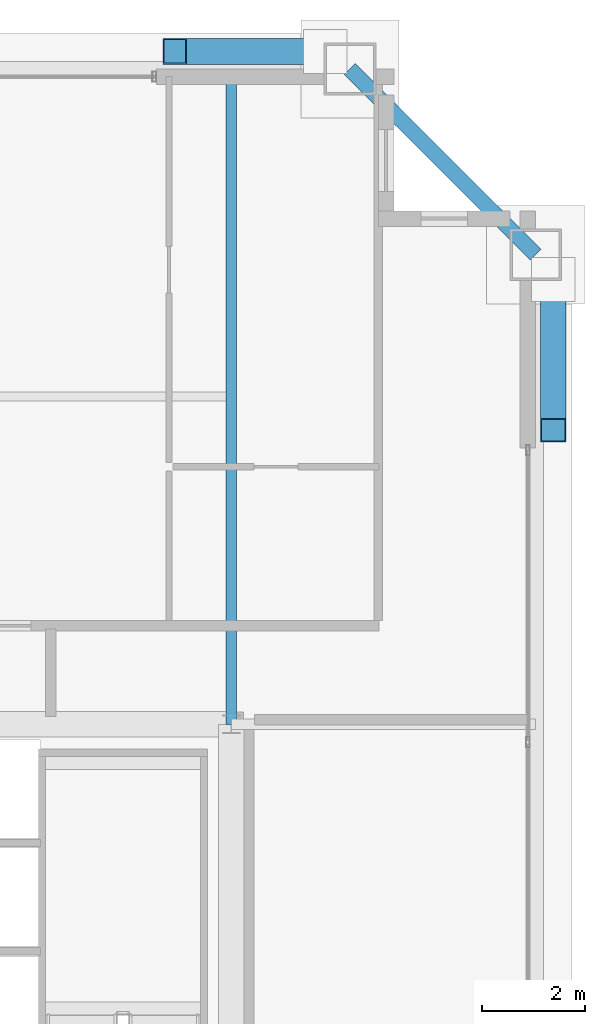
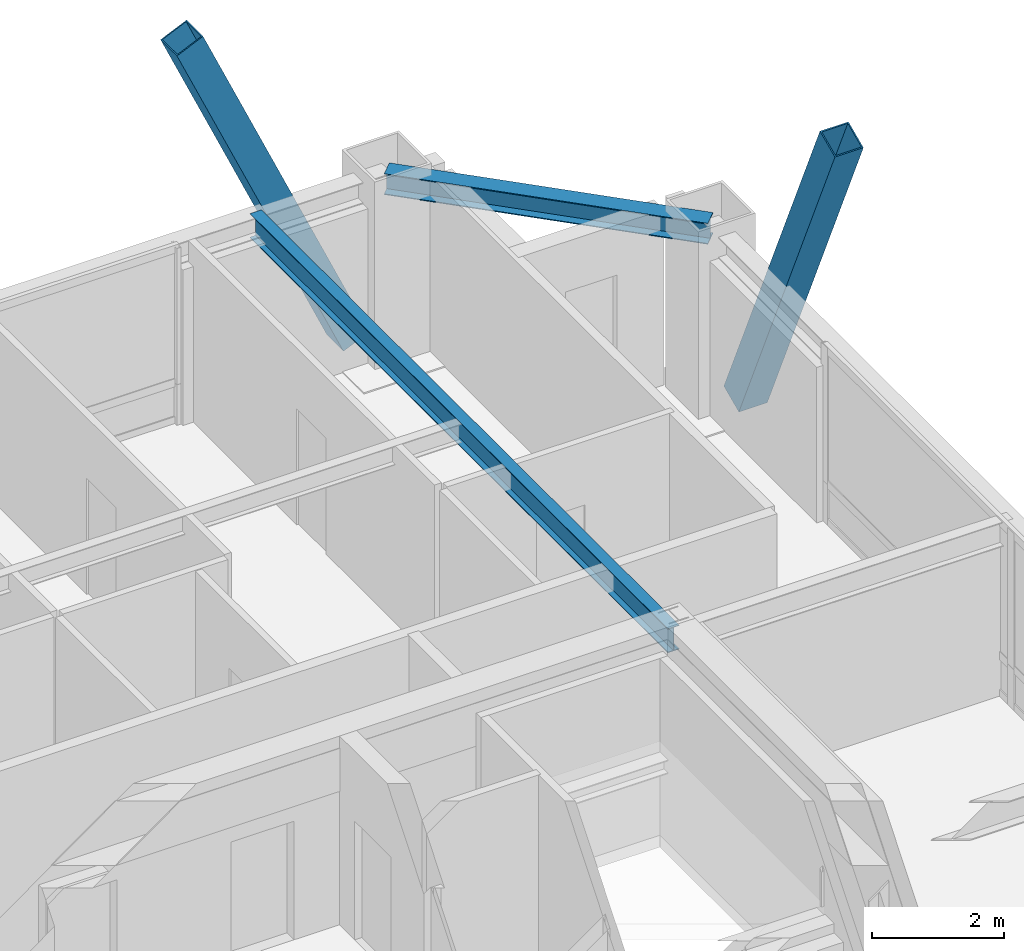
# One storey, part 20 of 35: 2 beams, 2 members.
"""IFC4 building model written with IfcOpenShell, lengths in metres."""

from ifc_helpers import new_model, si_unit, direction, frame, origin, origin_2d, place, context, subcontext, project, spatial, hollow_rectangle, i_section, extrude, source, transform, mapped, material, material_profile, profile_set, type_object, element, save


model = new_model("IFC4")

# Units and contexts
model_context = context("Model", 3, precision=1e-05, world=origin(), true_north=direction((0.0, 1.0)))
body_context = subcontext(model_context, "Body", "Model", "MODEL_VIEW")
ifc_project = project(units=[si_unit("LENGTHUNIT", "METRE"), si_unit("AREAUNIT", "SQUARE_METRE"), si_unit("VOLUMEUNIT", "CUBIC_METRE"), si_unit("PLANEANGLEUNIT", "RADIAN"), si_unit("MASSUNIT", "GRAM", prefix="KILO"), si_unit("THERMODYNAMICTEMPERATUREUNIT", "KELVIN"), si_unit("POWERUNIT", "WATT")], contexts=[model_context])

# Site, building, storey
site_placement = place(None, origin())
site = spatial("IfcSite", under=ifc_project, at=site_placement, CompositionType="ELEMENT")
building_placement = place(site_placement, origin())
building = spatial("IfcBuilding", under=site, at=building_placement, Name="Yuzanri Waterfront Tower", CompositionType="ELEMENT")
storey_placement = place(building_placement, frame((0.0, 0.0, 285.60009765625)))
storey = spatial("IfcBuildingStorey", under=building, at=storey_placement, Name="L76", CompositionType="ELEMENT", Elevation=285.60009765625)

# Beams
ifc_material_1 = material(Name="Steel Q355B", Category="steel")
ifc_material_profile_1 = material_profile(ifc_material_1, i_section(OverallWidth=0.300048828125, OverallDepth=0.389892578125, WebThickness=0.010009765625, FlangeThickness=0.01611328125, at=origin_2d()), Name="HM 390x300x10x16")
ifc_profile_set_1 = profile_set([ifc_material_profile_1], Name="Steel Q355B")
beam_type_1 = type_object("IfcBeamType", Name="Perimeter Spandrel Q355B HM 390x300", PredefinedType="SPANDREL", material=ifc_profile_set_1)
shared_shape_1 = source(origin(), body_context, "Body", "SweptSolid", [
    extrude(i_section(OverallWidth=0.300048828125, OverallDepth=0.389892578125, WebThickness=0.010009765625, FlangeThickness=0.01611328125, at=origin_2d()), origin(), (0.0, 0.0, 1.0), 5.091064453125),
])
beam_1_placement = place(storey_placement, frame((56.10009765625, 41.300048828125, 3.0849609375), z_axis=(-0.707130757816, 0.707082803744, 0.0), x_axis=(-0.707082803744, -0.707130757816, 0.0)))
element("IfcBeam", 1, at=beam_1_placement, inside=storey, type_object=beam_type_1, Name="L76 Perimeter Spandrel E3-N3", PredefinedType="SPANDREL", context=body_context, shape_type="MappedRepresentation", body=[
    mapped(shared_shape_1, transform((0.0, 0.0, 0.0), scale=1.0)),
])
ifc_material_2 = material(Name="Steel Q355B", Category="steel")
ifc_material_profile_2 = material_profile(ifc_material_2, i_section(OverallWidth=0.199951171875, OverallDepth=0.449951171875, WebThickness=0.009033203125, FlangeThickness=0.013916015625, at=origin_2d()), Name="HN 450x200x9x14")
ifc_profile_set_2 = profile_set([ifc_material_profile_2], Name="Steel Q355B")
beam_type_2 = type_object("IfcBeamType", Name="Secondary Floor Beam Q355B HN 450x200", PredefinedType="BEAM", material=ifc_profile_set_2)
shared_shape_2 = source(origin(), body_context, "Body", "SweptSolid", [
    extrude(i_section(OverallWidth=0.199951171875, OverallDepth=0.449951171875, WebThickness=0.009033203125, FlangeThickness=0.013916015625, at=origin_2d()), origin(), (0.0, 0.0, 1.0), 12.699951171875),
])
beam_2_placement = place(storey_placement, frame((50.199951171875, 32.199951171875, 3.054931640625), z_axis=(0.0, 1.0, 0.0), x_axis=(-1.0, 0.0, 0.0)))
element("IfcBeam", 2, at=beam_2_placement, inside=storey, type_object=beam_type_2, Name="L76 North-East Core Line Beam", PredefinedType="BEAM", context=body_context, shape_type="MappedRepresentation", body=[
    mapped(shared_shape_2, transform((0.0, 0.0, 0.0), scale=1.0)),
])

# Members
ifc_material_3 = material(Name="Steel Q390GJC", Category="steel")
ifc_material_profile_3 = material_profile(ifc_material_3, hollow_rectangle(XDim=0.5, YDim=0.5, WallThickness=0.02197265625, at=origin_2d()), Name="RHS 500x500x22")
ifc_profile_set_3 = profile_set([ifc_material_profile_3], Name="Steel Q390GJC")
member_type = type_object("IfcMemberType", Name="Mega Brace Upper Q390GJC RHS 500x500x22", PredefinedType="BRACE", material=ifc_profile_set_3)
shared_shape_3 = source(origin(), body_context, "Body", "SweptSolid", [
    extrude(hollow_rectangle(XDim=0.5, YDim=0.5, WallThickness=0.02197265625, at=origin_2d()), origin(), (0.0, 0.0, 1.0), 7.125732421875),
])
for number, where, z_axis, x_axis, name in (
    (3, (52.02001953125, 45.239990234375, 0.179931640625), (-0.409771952938, 0.0, 0.912187999584), (0.0, -1.0, 0.0), "L76-L77 Perimeter Mega-Brace N-R"),
    (4, (56.43994140625, 40.820068359375, 0.179931640625), (0.0, -0.409800461192, 0.912175192607), (1.0, 0.0, 0.0), "L76-L77 Perimeter Mega-Brace E-R"),
):
    element("IfcMember", number, at=place(storey_placement, frame(where, z_axis=z_axis, x_axis=x_axis)), inside=storey, type_object=member_type, Name=name, PredefinedType="BRACE", context=body_context, shape_type="MappedRepresentation", body=[
        mapped(shared_shape_3, transform((0.0, 0.0, 0.0), scale=1.0)),
    ])

save(model, "model.ifc")
